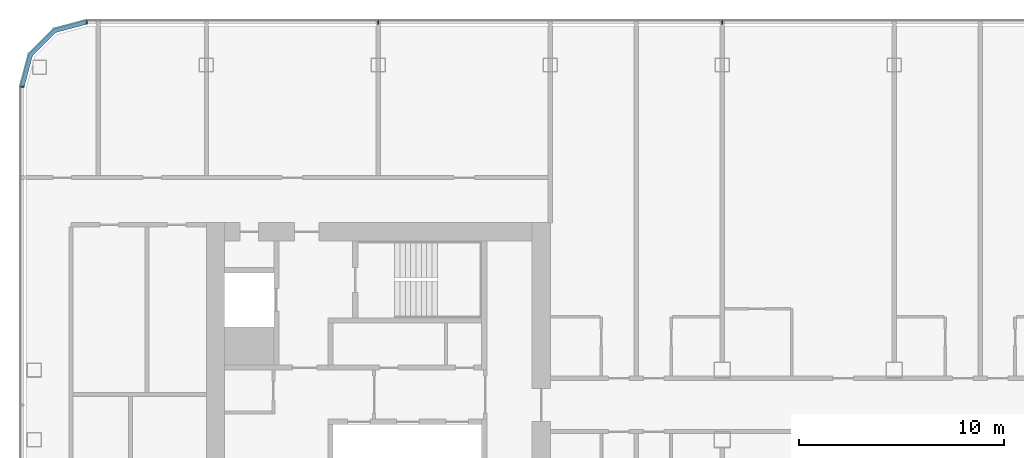
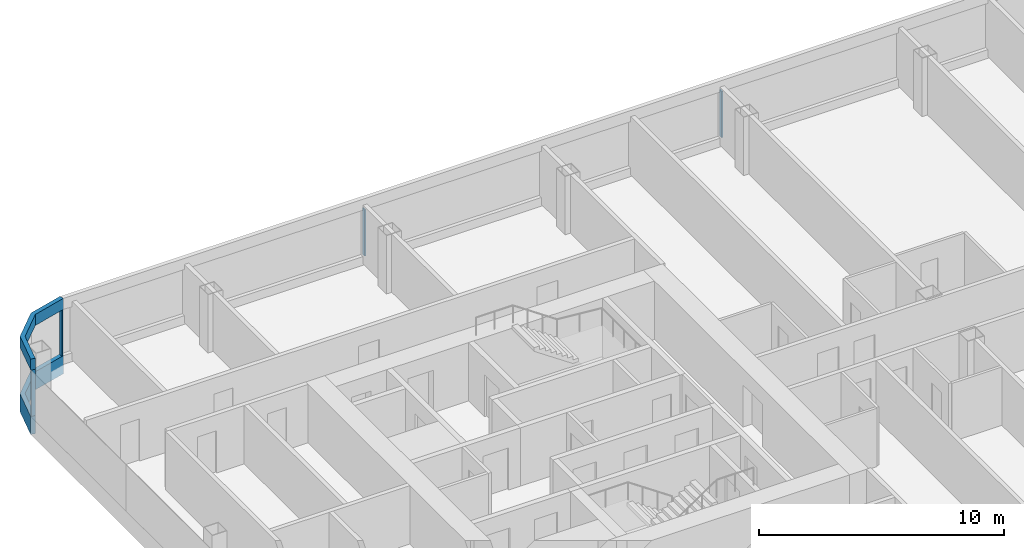
# One storey, part 6 of 26: 6 members, 3 elements without a shape of their own.
"""IFC4 building model written with IfcOpenShell, lengths in metres."""

from ifc_helpers import new_model, si_unit, direction, frame, origin, origin_2d, place, context, subcontext, project, spatial, polyline, rectangle, outline, extrude, material, layer, layer_set, material_profile, profile_set, type_object, element, aggregate, save


model = new_model("IFC4")

# Units and contexts
model_context = context("Model", 3, precision=1e-05, world=origin(), true_north=direction((0.0, 1.0)))
body_context = subcontext(model_context, "Body", "Model", "MODEL_VIEW")
ifc_project = project(units=[si_unit("LENGTHUNIT", "METRE"), si_unit("AREAUNIT", "SQUARE_METRE"), si_unit("VOLUMEUNIT", "CUBIC_METRE"), si_unit("PLANEANGLEUNIT", "RADIAN"), si_unit("MASSUNIT", "GRAM", prefix="KILO")], contexts=[model_context])

# Site, building, storey
site_placement = place(None, origin())
site = spatial("IfcSite", under=ifc_project, at=site_placement, CompositionType="ELEMENT")
building_placement = place(site_placement, origin())
building = spatial("IfcBuilding", under=site, at=building_placement, Name="Hakoniwa Tower and Hamabe Station Hall", CompositionType="ELEMENT")
storey_placement = place(building_placement, frame((0.0, 0.0, 172.60009765625)))
storey = spatial("IfcBuildingStorey", under=building, at=storey_placement, Name="L49", CompositionType="ELEMENT", Elevation=172.60009765625)

# Curtain wall, members
ifc_material_1 = material(Name="Dark low-e laminated glass", Category="glass")
ifc_layer = layer(ifc_material_1, 0.199951171875)
ifc_layer_set = layer_set([ifc_layer], Name="CW-1 UNITISED GUEST")
curtain_wall_type = type_object("IfcCurtainWallType", Name="CW-1 UNITISED GUEST", PredefinedType="NOTDEFINED", material=ifc_layer_set)
curtain_wall_1_placement = place(storey_placement, origin())
curtain_wall_1 = element("IfcCurtainWall", 1, at=curtain_wall_1_placement, inside=storey, type_object=curtain_wall_type, Name="CW-1 curtain wall", PredefinedType="NOTDEFINED")
ifc_material_2 = material(Name="Aluminium 6063-T5 black anodised", Category="aluminium")
ifc_material_profile_1 = material_profile(ifc_material_2, rectangle(XDim=0.199951171875, YDim=0.550048828125, at=origin_2d()), Name="CW HEAD BAND 550X200")
ifc_profile_set_1 = profile_set([ifc_material_profile_1], Name="Aluminium 6063-T5 black anodised")
member_type_1 = type_object("IfcMemberType", Name="CW HEAD BAND 550X200", PredefinedType="USERDEFINED", material=ifc_profile_set_1)
member_1_placement = place(storey_placement, frame((0.0, 0.0, 2.64990234375)))
member_1 = element("IfcMember", 2, at=member_1_placement, type_object=member_type_1, Name="CW-1 transom", ObjectType="TRANSOM", PredefinedType="USERDEFINED", context=body_context, shape_type="SweptSolid", body=[
    extrude(outline(polyline([(-39.439453125, 18.300048828125), (-41.05517578125, 17.866943359375), (-42.26708984375, 16.6552734375), (-42.699951171875, 15.03955078125), (-42.5068359375, 14.98779296875), (-42.087646484375, 16.5517578125), (-40.95166015625, 17.687744140625), (-39.3876953125, 18.10693359375), (-39.439453125, 18.300048828125)])), origin(), (0.0, 0.0, 1.0), 0.550048828125),
])
ifc_material_3 = material(Name="Aluminium 6063-T5 black anodised", Category="aluminium")
ifc_material_profile_2 = material_profile(ifc_material_3, rectangle(XDim=0.199951171875, YDim=0.89990234375, at=origin_2d()), Name="CW SLAB-EDGE BAND 900X200")
ifc_profile_set_2 = profile_set([ifc_material_profile_2], Name="Aluminium 6063-T5 black anodised")
member_type_2 = type_object("IfcMemberType", Name="CW SLAB-EDGE BAND 900X200", PredefinedType="USERDEFINED", material=ifc_profile_set_2)
member_2_placement = place(storey_placement, frame((0.0, 0.0, -0.550048828125)))
member_2 = element("IfcMember", 3, at=member_2_placement, type_object=member_type_2, Name="CW-1 transom", ObjectType="TRANSOM", PredefinedType="USERDEFINED", context=body_context, shape_type="SweptSolid", body=[
    extrude(outline(polyline([(-39.439453125, 18.300048828125), (-41.05517578125, 17.866943359375), (-42.26708984375, 16.6552734375), (-42.699951171875, 15.03955078125), (-42.5068359375, 14.98779296875), (-42.087646484375, 16.5517578125), (-40.95166015625, 17.687744140625), (-39.3876953125, 18.10693359375), (-39.439453125, 18.300048828125)])), origin(), (0.0, 0.0, 1.0), 0.89990234375),
])
aggregate(curtain_wall_1, [member_2, member_1])

curtain_wall_2_placement = place(storey_placement, origin())
curtain_wall_2 = element("IfcCurtainWall", 4, at=curtain_wall_2_placement, inside=storey, type_object=curtain_wall_type, Name="CW-1 curtain wall", PredefinedType="NOTDEFINED")
ifc_material_4 = material(Name="Aluminium 6063-T5 black anodised", Category="aluminium")
ifc_material_profile_3 = material_profile(ifc_material_4, rectangle(XDim=0.06005859375, YDim=0.179931640625, at=origin_2d()), Name="CW-1 MULLION 60X180")
ifc_profile_set_3 = profile_set([ifc_material_profile_3], Name="Aluminium 6063-T5 black anodised")
member_type_3 = type_object("IfcMemberType", Name="CW-1 MULLION 60X180", PredefinedType="MULLION", material=ifc_profile_set_3)
member_3_placement = place(storey_placement, frame((-8.39990234375, 18.181884765625, 0.349853515625), z_axis=(0.0, 0.0, 1.0), x_axis=(-1.0, 0.0, 0.0)))
member_3 = element("IfcMember", 5, at=member_3_placement, type_object=member_type_3, Name="CW-1 mullion", PredefinedType="MULLION", context=body_context, shape_type="SweptSolid", body=[
    extrude(rectangle(XDim=0.06005859375, YDim=0.179931640625, at=origin_2d()), origin(), (0.0, 0.0, 1.0), 2.300048828125),
])
member_4_placement = place(storey_placement, frame((-25.199951171875, 18.181884765625, 0.349853515625), z_axis=(0.0, 0.0, 1.0), x_axis=(-1.0, 0.0, 0.0)))
member_4 = element("IfcMember", 6, at=member_4_placement, type_object=member_type_3, Name="CW-1 mullion", PredefinedType="MULLION", context=body_context, shape_type="SweptSolid", body=[
    extrude(rectangle(XDim=0.06005859375, YDim=0.179931640625, at=origin_2d()), origin(), (0.0, 0.0, 1.0), 2.300048828125),
])
member_5_placement = place(storey_placement, frame((-39.439453125, 18.181884765625, 0.349853515625), z_axis=(0.0, 0.0, 1.0), x_axis=(-1.0, 0.0, 0.0)))
member_5 = element("IfcMember", 7, at=member_5_placement, type_object=member_type_3, Name="CW-1 mullion", PredefinedType="MULLION", context=body_context, shape_type="SweptSolid", body=[
    extrude(rectangle(XDim=0.06005859375, YDim=0.179931640625, at=origin_2d()), origin(), (0.0, 0.0, 1.0), 2.300048828125),
])
aggregate(curtain_wall_2, [member_3, member_4, member_5])

# Curtain wall, member
curtain_wall_3_placement = place(storey_placement, origin())
curtain_wall_3 = element("IfcCurtainWall", 8, at=curtain_wall_3_placement, inside=storey, type_object=curtain_wall_type, Name="CW-1 curtain wall", PredefinedType="NOTDEFINED")
member_6_placement = place(storey_placement, frame((-42.58203125, 15.03955078125, 0.349853515625), z_axis=(0.0, 0.0, 1.0), x_axis=(0.0, -1.0, 0.0)))
member_6 = element("IfcMember", 9, at=member_6_placement, type_object=member_type_3, Name="CW-1 mullion", PredefinedType="MULLION", context=body_context, shape_type="SweptSolid", body=[
    extrude(rectangle(XDim=0.06005859375, YDim=0.179931640625, at=origin_2d()), origin(), (0.0, 0.0, 1.0), 2.300048828125),
])
aggregate(curtain_wall_3, [member_6])

save(model, "model.ifc")
